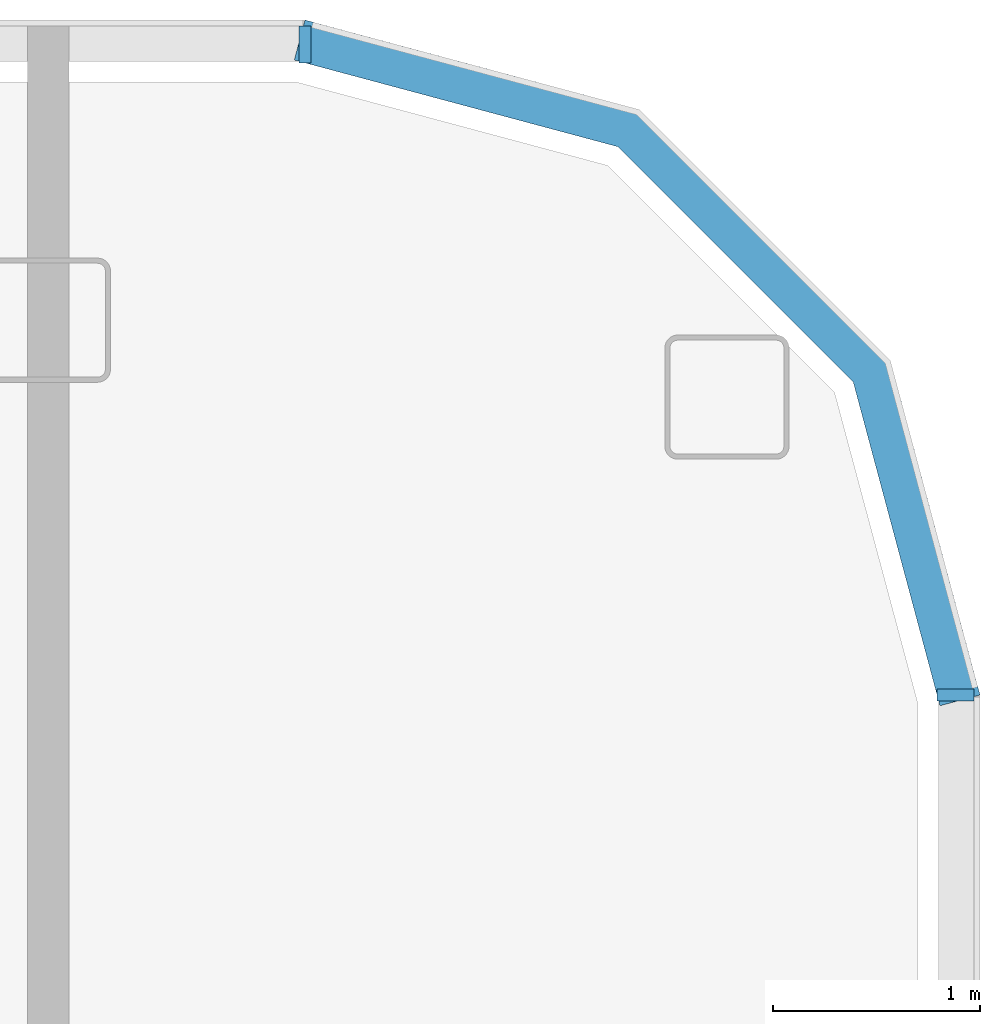
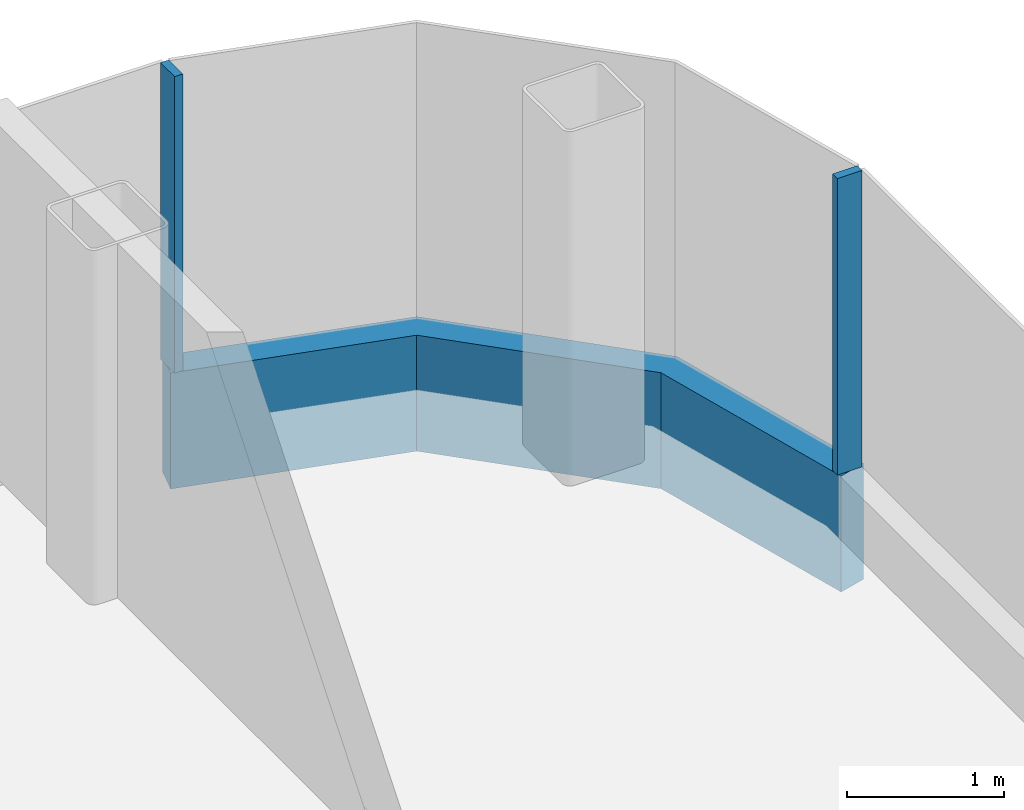
# One storey, part 11 of 26: 3 members, 3 elements without a shape of their own.
"""IFC4 building model written with IfcOpenShell, lengths in metres."""

from ifc_helpers import new_model, si_unit, direction, frame, origin, origin_2d, place, context, subcontext, project, spatial, polyline, rectangle, outline, extrude, material, layer, layer_set, material_profile, profile_set, type_object, element, aggregate, save


model = new_model("IFC4")

# Units and contexts
model_context = context("Model", 3, precision=1e-05, world=origin(), true_north=direction((0.0, 1.0)))
body_context = subcontext(model_context, "Body", "Model", "MODEL_VIEW")
ifc_project = project(units=[si_unit("LENGTHUNIT", "METRE"), si_unit("AREAUNIT", "SQUARE_METRE"), si_unit("VOLUMEUNIT", "CUBIC_METRE"), si_unit("PLANEANGLEUNIT", "RADIAN"), si_unit("MASSUNIT", "GRAM", prefix="KILO")], contexts=[model_context])

# Site, building, storey
site_placement = place(None, origin())
site = spatial("IfcSite", under=ifc_project, at=site_placement, CompositionType="ELEMENT")
building_placement = place(site_placement, origin())
building = spatial("IfcBuilding", under=site, at=building_placement, Name="Hakoniwa Tower and Hamabe Station Hall", CompositionType="ELEMENT")
storey_placement = place(building_placement, frame((0.0, 0.0, 199.39990234375)))
storey = spatial("IfcBuildingStorey", under=building, at=storey_placement, Name="L56", CompositionType="ELEMENT", Elevation=199.39990234375)

# Curtain wall, member
ifc_material_1 = material(Name="Dark low-e laminated glass", Category="glass")
ifc_layer = layer(ifc_material_1, 0.199951171875)
ifc_layer_set = layer_set([ifc_layer], Name="CW-1 UNITISED GUEST")
curtain_wall_type = type_object("IfcCurtainWallType", Name="CW-1 UNITISED GUEST", PredefinedType="NOTDEFINED", material=ifc_layer_set)
curtain_wall_1_placement = place(storey_placement, origin())
curtain_wall_1 = element("IfcCurtainWall", 1, at=curtain_wall_1_placement, inside=storey, type_object=curtain_wall_type, Name="CW-1 curtain wall", PredefinedType="NOTDEFINED")
ifc_material_2 = material(Name="Aluminium 6063-T5 black anodised", Category="aluminium")
ifc_material_profile_1 = material_profile(ifc_material_2, rectangle(XDim=0.199951171875, YDim=0.89990234375, at=origin_2d()), Name="CW SLAB-EDGE BAND 900X200")
ifc_profile_set_1 = profile_set([ifc_material_profile_1], Name="Aluminium 6063-T5 black anodised")
member_type_1 = type_object("IfcMemberType", Name="CW SLAB-EDGE BAND 900X200", PredefinedType="USERDEFINED", material=ifc_profile_set_1)
member_1_placement = place(storey_placement, frame((0.0, 0.0, -0.5498046875)))
member_1 = element("IfcMember", 2, at=member_1_placement, type_object=member_type_1, Name="CW-1 transom", ObjectType="TRANSOM", PredefinedType="USERDEFINED", context=body_context, shape_type="SweptSolid", body=[
    extrude(outline(polyline([(38.10009765625, 17.28955078125), (37.6669921875, 18.9052734375), (36.455322265625, 20.116943359375), (34.839599609375, 20.550048828125), (34.787841796875, 20.35693359375), (36.351806640625, 19.937744140625), (37.48779296875, 18.8017578125), (37.90673828125, 17.23779296875), (38.10009765625, 17.28955078125)])), origin(), (0.0, 0.0, 1.0), 0.89990234375),
])
aggregate(curtain_wall_1, [member_1])

curtain_wall_2_placement = place(storey_placement, origin())
curtain_wall_2 = element("IfcCurtainWall", 3, at=curtain_wall_2_placement, inside=storey, type_object=curtain_wall_type, Name="CW-1 curtain wall", PredefinedType="NOTDEFINED")
ifc_material_3 = material(Name="Aluminium 6063-T5 black anodised", Category="aluminium")
ifc_material_profile_2 = material_profile(ifc_material_3, rectangle(XDim=0.06005859375, YDim=0.179931640625, at=origin_2d()), Name="CW-1 MULLION 60X180")
ifc_profile_set_2 = profile_set([ifc_material_profile_2], Name="Aluminium 6063-T5 black anodised")
member_type_2 = type_object("IfcMemberType", Name="CW-1 MULLION 60X180", PredefinedType="MULLION", material=ifc_profile_set_2)
member_2_placement = place(storey_placement, frame((37.98193359375, 17.28955078125, 0.35009765625), z_axis=(0.0, 0.0, 1.0), x_axis=(0.0, 1.0, 0.0)))
member_2 = element("IfcMember", 4, at=member_2_placement, type_object=member_type_2, Name="CW-1 mullion", PredefinedType="MULLION", context=body_context, shape_type="SweptSolid", body=[
    extrude(rectangle(XDim=0.06005859375, YDim=0.179931640625, at=origin_2d()), origin(), (0.0, 0.0, 1.0), 2.300048828125),
])
aggregate(curtain_wall_2, [member_2])

curtain_wall_3_placement = place(storey_placement, origin())
curtain_wall_3 = element("IfcCurtainWall", 5, at=curtain_wall_3_placement, inside=storey, type_object=curtain_wall_type, Name="CW-1 curtain wall", PredefinedType="NOTDEFINED")
member_3_placement = place(storey_placement, frame((34.839599609375, 20.431884765625, 0.35009765625), z_axis=(0.0, 0.0, 1.0), x_axis=(-1.0, 0.0, 0.0)))
member_3 = element("IfcMember", 6, at=member_3_placement, type_object=member_type_2, Name="CW-1 mullion", PredefinedType="MULLION", context=body_context, shape_type="SweptSolid", body=[
    extrude(rectangle(XDim=0.06005859375, YDim=0.179931640625, at=origin_2d()), origin(), (0.0, 0.0, 1.0), 2.300048828125),
])
aggregate(curtain_wall_3, [member_3])

save(model, "model.ifc")
